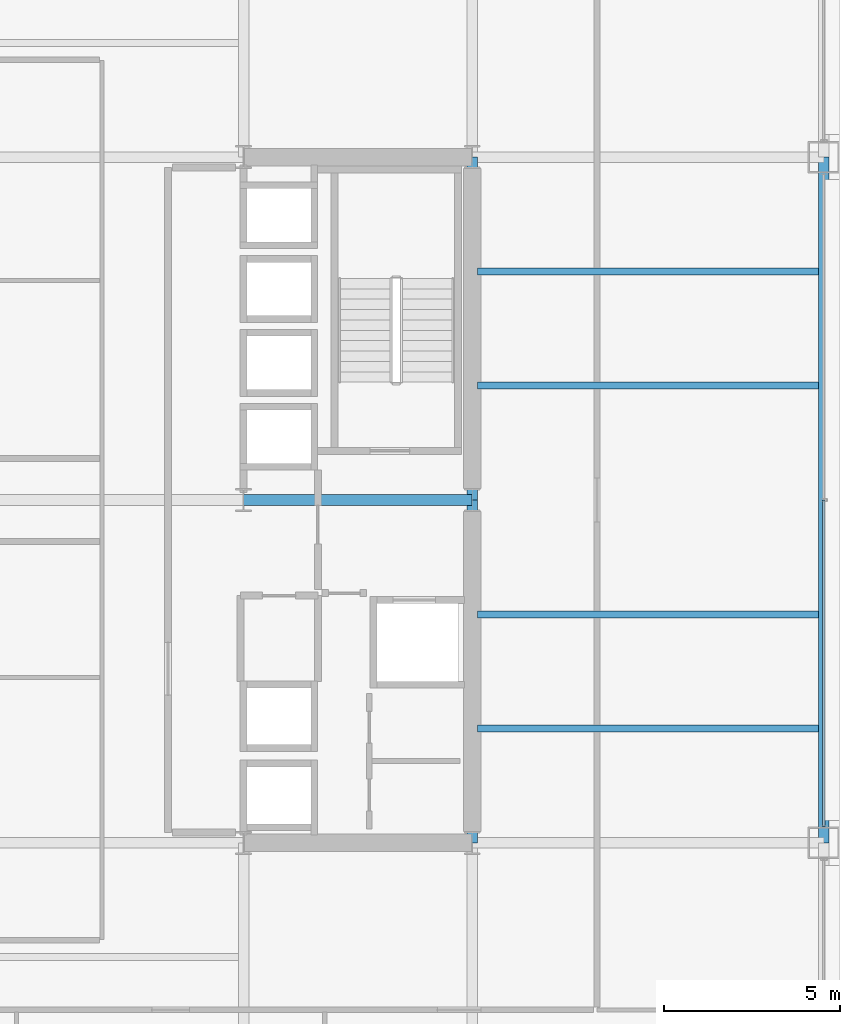
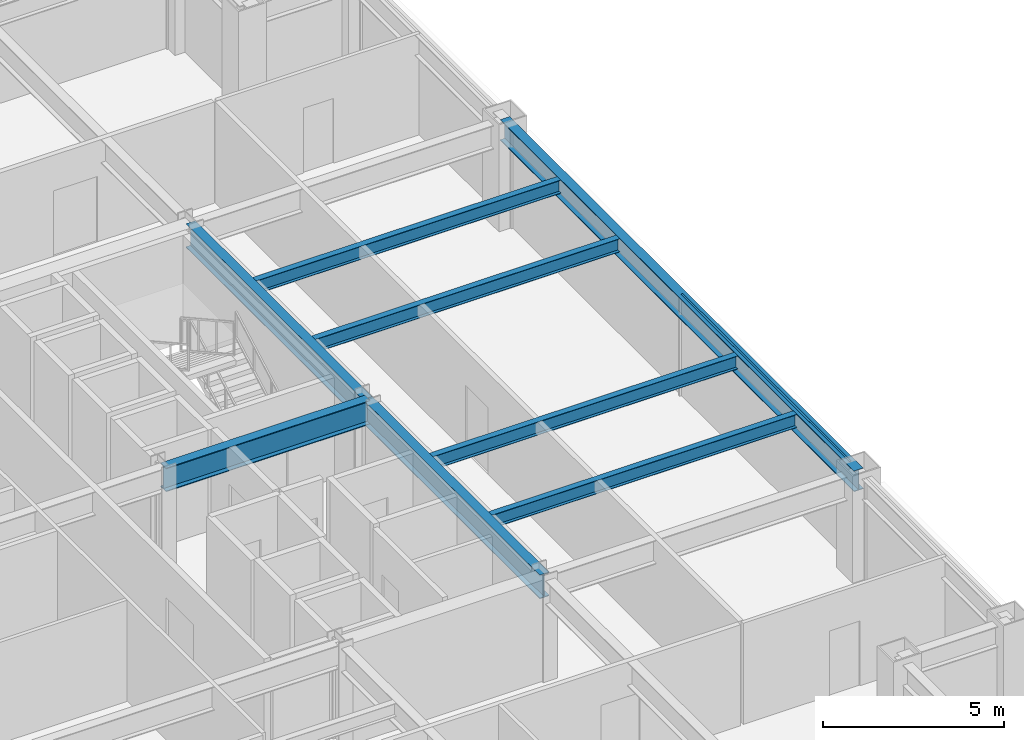
# One storey, part 13 of 30: 8 beams, 1 member, 1 element without a shape of its own.
"""IFC4 building model written with IfcOpenShell, lengths in metres."""

from ifc_helpers import new_model, si_unit, direction, frame, origin, origin_2d, place, context, subcontext, project, spatial, hollow_rectangle, i_section, extrude, material, layer, layer_set, material_profile, profile_set, type_object, element, aggregate, save


model = new_model("IFC4")

# Units and contexts
model_context = context("Model", 3, precision=1e-05, world=origin(), true_north=direction((0.0, 1.0)))
body_context = subcontext(model_context, "Body", "Model", "MODEL_VIEW")
ifc_project = project(units=[si_unit("LENGTHUNIT", "METRE"), si_unit("AREAUNIT", "SQUARE_METRE"), si_unit("VOLUMEUNIT", "CUBIC_METRE"), si_unit("PLANEANGLEUNIT", "RADIAN"), si_unit("MASSUNIT", "GRAM", prefix="KILO")], contexts=[model_context])

# Site, building, storey
site_placement = place(None, origin())
site = spatial("IfcSite", under=ifc_project, at=site_placement, CompositionType="ELEMENT")
building_placement = place(site_placement, origin())
building = spatial("IfcBuilding", under=site, at=building_placement, Name="Brelmoor Portico Tower", CompositionType="ELEMENT")
storey_placement = place(building_placement, frame((0.0, 0.0, 74.39990234375)))
storey = spatial("IfcBuildingStorey", under=building, at=storey_placement, Name="L19", CompositionType="ELEMENT", Elevation=74.39990234375)

# Beams
ifc_material_1 = material(Name="Steel Q355B", Category="steel")
ifc_material_profile_1 = material_profile(ifc_material_1, i_section(OverallWidth=0.199951171875, OverallDepth=0.449951171875, WebThickness=0.009033203125, FlangeThickness=0.013916015625, at=origin_2d()), Name="HN 450x200x9x14")
ifc_profile_set_1 = profile_set([ifc_material_profile_1], Name="Steel Q355B")
beam_type_1 = type_object("IfcBeamType", Name="BM-JS-450", PredefinedType="JOIST", material=ifc_profile_set_1)
for number, where, z_axis, x_axis, name in (
    (1, (14.699951171875, -6.5, 3.175048828125), (1.0, 0.0, 0.0), (0.0, 1.0, 0.0), "L19 Secondary Wing Joist JS-E09"),
    (2, (14.699951171875, -3.25, 3.175048828125), (1.0, 0.0, 0.0), (0.0, 1.0, 0.0), "L19 Secondary Wing Joist JS-E10"),
    (3, (14.699951171875, 3.25, 3.175048828125), (1.0, 0.0, 0.0), (0.0, 1.0, 0.0), "L19 Secondary Wing Joist JS-E11"),
    (4, (14.699951171875, 6.5, 3.175048828125), (1.0, 0.0, 0.0), (0.0, 1.0, 0.0), "L19 Secondary Wing Joist JS-E12"),
):
    element("IfcBeam", number, at=place(storey_placement, frame(where, z_axis=z_axis, x_axis=x_axis)), inside=storey, type_object=beam_type_1, Name=name, PredefinedType="JOIST", context=body_context, shape_type="SweptSolid", body=[
        extrude(i_section(OverallWidth=0.199951171875, OverallDepth=0.449951171875, WebThickness=0.009033203125, FlangeThickness=0.013916015625, at=origin_2d()), origin(), (0.0, 0.0, 1.0), 9.699951171875),
    ])
ifc_material_profile_2 = material_profile(ifc_material_1, i_section(OverallWidth=0.300048828125, OverallDepth=0.800048828125, WebThickness=0.013916015625, FlangeThickness=0.02587890625, at=origin_2d()), Name="HN 800x300x14x26")
ifc_profile_set_2 = profile_set([ifc_material_profile_2], Name="Steel Q355B")
beam_type_2 = type_object("IfcBeamType", Name="BM-PG-800", PredefinedType="BEAM", material=ifc_profile_set_2)
for number, where, z_axis, x_axis, name in (
    (5, (14.550048828125, -9.75, 3.0), (0.0, 1.0, 0.0), (-1.0, 0.0, 0.0), "L19 Primary Floor Girder PG-12"),
    (6, (14.550048828125, 0.0, 3.0), (0.0, 1.0, 0.0), (-1.0, 0.0, 0.0), "L19 Primary Floor Girder PG-13"),
):
    element("IfcBeam", number, at=place(storey_placement, frame(where, z_axis=z_axis, x_axis=x_axis)), inside=storey, type_object=beam_type_2, Name=name, PredefinedType="BEAM", context=body_context, shape_type="SweptSolid", body=[
        extrude(i_section(OverallWidth=0.300048828125, OverallDepth=0.800048828125, WebThickness=0.013916015625, FlangeThickness=0.02587890625, at=origin_2d()), origin(), (0.0, 0.0, 1.0), 9.75),
    ])
beam_1_placement = place(storey_placement, frame((8.050048828125, 0.0, 3.0), z_axis=(1.0, 0.0, 0.0), x_axis=(0.0, 1.0, 0.0)))
element("IfcBeam", 7, at=beam_1_placement, inside=storey, type_object=beam_type_2, Name="L19 Primary Floor Girder PG-26", PredefinedType="BEAM", context=body_context, shape_type="SweptSolid", body=[
    extrude(i_section(OverallWidth=0.300048828125, OverallDepth=0.800048828125, WebThickness=0.013916015625, FlangeThickness=0.02587890625, at=origin_2d()), origin(), (0.0, 0.0, 1.0), 6.5),
])
ifc_material_profile_3 = material_profile(ifc_material_1, i_section(OverallWidth=0.300048828125, OverallDepth=0.699951171875, WebThickness=0.012939453125, FlangeThickness=0.02392578125, at=origin_2d()), Name="HN 700x300x13x24")
ifc_profile_set_3 = profile_set([ifc_material_profile_3], Name="Steel Q355B")
beam_type_3 = type_object("IfcBeamType", Name="BM-SP-700", PredefinedType="SPANDREL", material=ifc_profile_set_3)
beam_2_placement = place(storey_placement, frame((24.550048828125, -9.75, 3.050048828125), z_axis=(0.0, 1.0, 0.0), x_axis=(-1.0, 0.0, 0.0)))
element("IfcBeam", 8, at=beam_2_placement, inside=storey, type_object=beam_type_3, Name="L19 Perimeter Spandrel Beam SP-23", PredefinedType="SPANDREL", context=body_context, shape_type="SweptSolid", body=[
    extrude(i_section(OverallWidth=0.300048828125, OverallDepth=0.699951171875, WebThickness=0.012939453125, FlangeThickness=0.02392578125, at=origin_2d()), origin(), (0.0, 0.0, 1.0), 19.5),
])

# Curtain wall, member
ifc_material_2 = material(Name="Anodised Aluminium Alloy 6063-T6", Category="aluminium")
ifc_layer = layer(ifc_material_2, 0.179931640625)
ifc_layer_set = layer_set([ifc_layer], Name="Anodised Aluminium Alloy 6063-T6")
curtain_wall_type = type_object("IfcCurtainWallType", Name="CW-TOWER-Z1-XB", PredefinedType="NOTDEFINED", material=ifc_layer_set)
curtain_wall_placement = place(storey_placement, origin())
curtain_wall = element("IfcCurtainWall", 9, at=curtain_wall_placement, inside=storey, type_object=curtain_wall_type, Name="L19 Curtain Wall CW-L19-04-2", PredefinedType="NOTDEFINED")
ifc_material_profile_4 = material_profile(ifc_material_2, hollow_rectangle(XDim=0.06494140625, YDim=0.139892578125, WallThickness=0.00390625, at=origin_2d()), Name="ALU TRANSOM 65x140")
ifc_profile_set_4 = profile_set([ifc_material_profile_4], Name="Anodised Aluminium Alloy 6063-T6")
member_type = type_object("IfcMemberType", Name="MB-CW-TRAN-140", PredefinedType="USERDEFINED", material=ifc_profile_set_4)
member_placement = place(storey_placement, frame((24.550048828125, -9.2900390625, 3.330078125), z_axis=(0.0, 1.0, 0.0), x_axis=(-1.0, 0.0, 0.0)))
member = element("IfcMember", 10, at=member_placement, type_object=member_type, Name="CW-L19-04-2 Transom 1-00", ObjectType="TRANSOM", PredefinedType="USERDEFINED", context=body_context, shape_type="SweptSolid", body=[
    extrude(hollow_rectangle(XDim=0.06494140625, YDim=0.139892578125, WallThickness=0.00390625, at=origin_2d()), origin(), (0.0, 0.0, 1.0), 9.2900390625),
])
aggregate(curtain_wall, [member])

save(model, "model.ifc")
